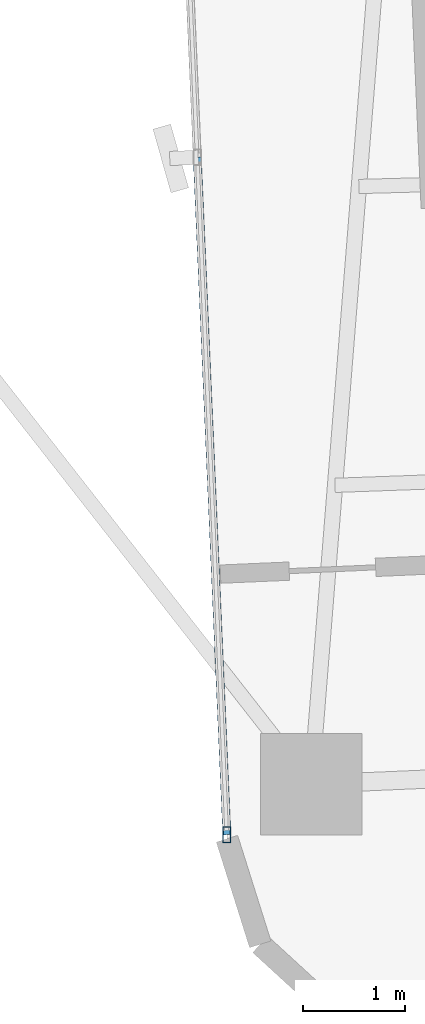
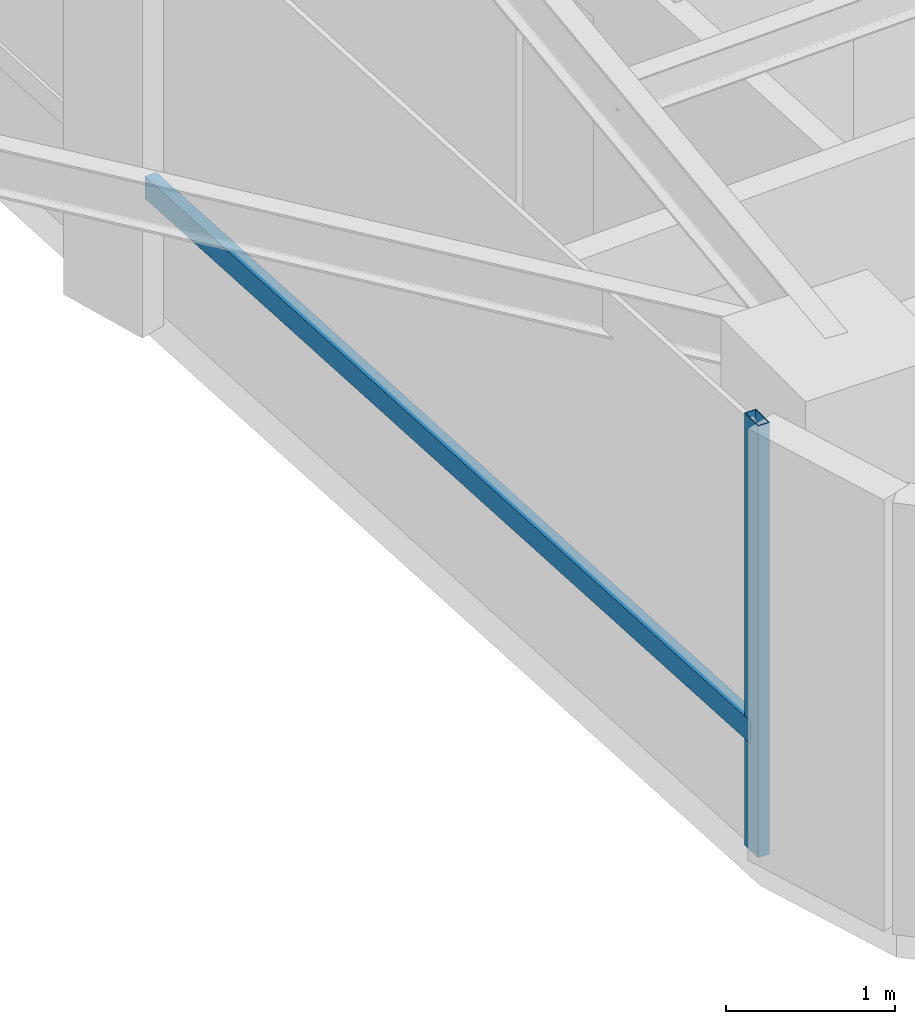
# One storey, part 2 of 26: 2 members, 1 element without a shape of its own.
"""IFC4 building model written with IfcOpenShell, lengths in metres."""

from ifc_helpers import new_model, si_unit, direction, frame, origin, origin_2d, place, context, subcontext, project, spatial, hollow_rectangle, extrude, source, transform, mapped, material, material_profile, profile_set, type_object, element, aggregate, save


model = new_model("IFC4")

# Units and contexts
model_context = context("Model", 3, precision=1e-05, world=origin(), true_north=direction((0.0, 1.0)))
body_context = subcontext(model_context, "Body", "Model", "MODEL_VIEW")
ifc_project = project(units=[si_unit("LENGTHUNIT", "METRE"), si_unit("AREAUNIT", "SQUARE_METRE"), si_unit("VOLUMEUNIT", "CUBIC_METRE"), si_unit("PLANEANGLEUNIT", "RADIAN"), si_unit("MASSUNIT", "GRAM", prefix="KILO")], contexts=[model_context])

# Site, building, storey
site_placement = place(None, origin())
site = spatial("IfcSite", under=ifc_project, at=site_placement, CompositionType="ELEMENT")
building_placement = place(site_placement, origin())
building = spatial("IfcBuilding", under=site, at=building_placement, Name="Sahyath Konkavel Grand Hotel", CompositionType="ELEMENT")
storey_placement = place(building_placement, frame((0.0, 0.0, 86.85009765625)))
storey = spatial("IfcBuildingStorey", under=building, at=storey_placement, Name="L23", CompositionType="ELEMENT", Elevation=86.85009765625)

# Curtain wall, members
ifc_material_1 = material(Name="Anodised Bronze Aluminium & Low-E Glazing", Category="aluminium")
curtain_wall_type = type_object("IfcCurtainWallType", Name="CW-ZONE2", PredefinedType="NOTDEFINED", material=ifc_material_1)
curtain_wall_placement = place(storey_placement, origin())
curtain_wall = element("IfcCurtainWall", 1, at=curtain_wall_placement, inside=storey, type_object=curtain_wall_type, Name="L23 Unitised Curtain Wall F24", PredefinedType="NOTDEFINED")
ifc_material_2 = material(Name="Anodised Bronze Aluminium", Category="aluminium")
ifc_material_profile_1 = material_profile(ifc_material_2, hollow_rectangle(XDim=0.080078125, YDim=0.159912109375, WallThickness=0.006103515625, at=origin_2d()), Name="RHS 160x80x6")
ifc_profile_set_1 = profile_set([ifc_material_profile_1], Name="Anodised Bronze Aluminium")
member_type_1 = type_object("IfcMemberType", Name="CW-MUL-160", PredefinedType="MULLION", material=ifc_profile_set_1)
shared_shape_1 = source(origin(), body_context, "Body", "SweptSolid", [
    extrude(hollow_rectangle(XDim=0.080078125, YDim=0.159912109375, WallThickness=0.006103515625, at=origin_2d()), origin(), (0.0, 0.0, 1.0), 3.10986328125),
])
member_1_placement = place(storey_placement, frame((-5.605224609375, -22.92626953125, 0.0), z_axis=(0.0, 0.0, 1.0), x_axis=(1.0, 0.0, 0.0)))
member_1 = element("IfcMember", 2, at=member_1_placement, type_object=member_type_1, Name="L23 Curtain Wall Mullion F24-2", PredefinedType="MULLION", context=body_context, shape_type="MappedRepresentation", body=[
    mapped(shared_shape_1, transform((0.0, 0.0, 0.0), scale=1.0)),
])
ifc_material_profile_2 = material_profile(ifc_material_2, hollow_rectangle(XDim=0.080078125, YDim=0.159912109375, WallThickness=0.006103515625, at=origin_2d()), Name="RHS 160x80x6")
ifc_profile_set_2 = profile_set([ifc_material_profile_2], Name="Anodised Bronze Aluminium")
member_type_2 = type_object("IfcMemberType", Name="CW-TRN-160", PredefinedType="USERDEFINED", material=ifc_profile_set_2)
shared_shape_2 = source(origin(), body_context, "Body", "SweptSolid", [
    extrude(hollow_rectangle(XDim=0.080078125, YDim=0.159912109375, WallThickness=0.006103515625, at=origin_2d()), origin(), (0.0, 0.0, 1.0), 6.659912109375),
])
member_2_placement = place(storey_placement, frame((-5.895751953125, -16.272705078125, 0.849853515625), z_axis=(0.043623350741, -0.999048048529, 0.0), x_axis=(0.999048048529, 0.043623350741, 0.0)))
member_2 = element("IfcMember", 3, at=member_2_placement, type_object=member_type_2, Name="L23 Curtain Wall Transom F24-1-spandrel", ObjectType="TRANSOM", PredefinedType="USERDEFINED", context=body_context, shape_type="MappedRepresentation", body=[
    mapped(shared_shape_2, transform((0.0, 0.0, 0.0), scale=1.0)),
])
aggregate(curtain_wall, [member_1, member_2])

save(model, "model.ifc")
